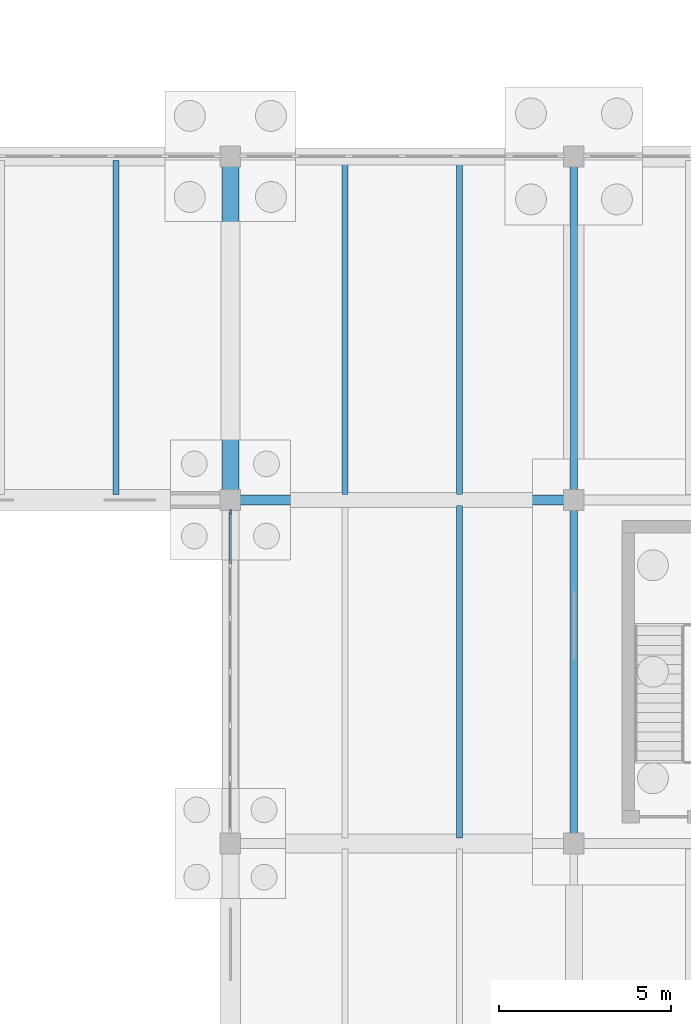
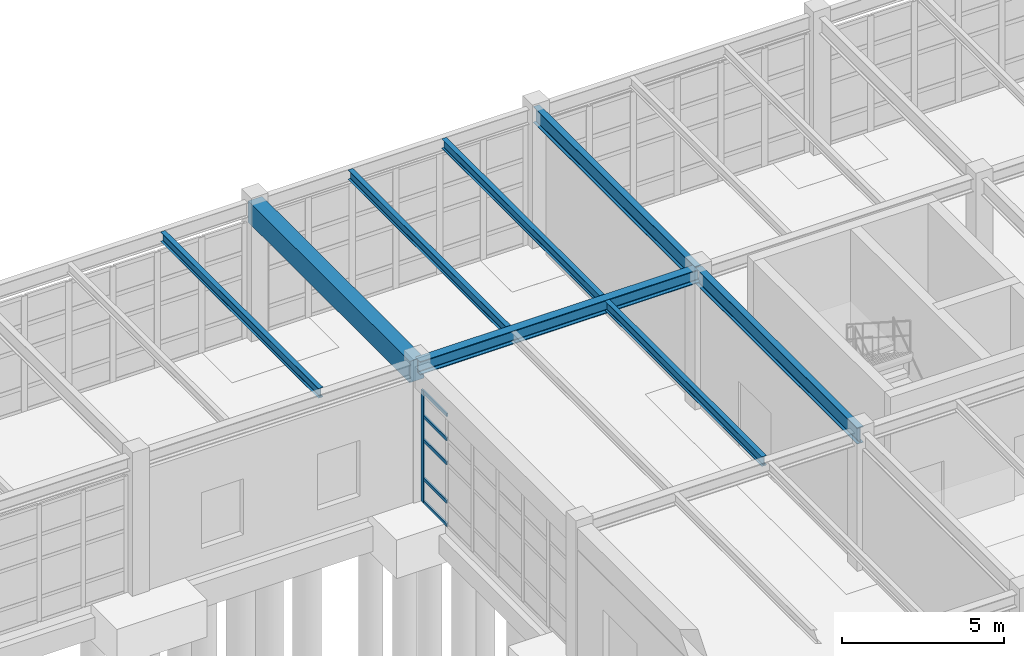
# One storey, part 73 of 145: 8 beams, 6 members, 1 element without a shape of its own.
"""IFC4 building model written with IfcOpenShell, lengths in metres."""

from ifc_helpers import new_model, si_unit, direction, frame, origin, origin_2d, place, context, subcontext, project, spatial, rectangle, i_section, extrude, material, layer, layer_set, material_profile, profile_set, type_object, element, aggregate, save


model = new_model("IFC4")

# Units and contexts
model_context = context("Model", 3, precision=1e-05, world=origin(), true_north=direction((0.0, 1.0)))
body_context = subcontext(model_context, "Body", "Model", "MODEL_VIEW")
ifc_project = project(units=[si_unit("LENGTHUNIT", "METRE"), si_unit("AREAUNIT", "SQUARE_METRE"), si_unit("VOLUMEUNIT", "CUBIC_METRE"), si_unit("PLANEANGLEUNIT", "RADIAN"), si_unit("MASSUNIT", "GRAM", prefix="KILO"), si_unit("THERMODYNAMICTEMPERATUREUNIT", "KELVIN"), si_unit("POWERUNIT", "WATT")], contexts=[model_context])

# Site, building, storey
site_placement = place(None, origin())
site = spatial("IfcSite", under=ifc_project, at=site_placement, CompositionType="ELEMENT")
building_placement = place(site_placement, origin())
building = spatial("IfcBuilding", under=site, at=building_placement, Name="Korenveer Ferry Terminal", CompositionType="ELEMENT")
storey_placement = place(building_placement, origin())
storey = spatial("IfcBuildingStorey", under=building, at=storey_placement, Name="L00", CompositionType="ELEMENT", Elevation=0.0)

# Curtain wall, members
ifc_material_1 = material(Name="Unitised bronze-and-glass curtain wall", Category="glass")
ifc_layer = layer(ifc_material_1, 0.159912109375)
ifc_layer_set = layer_set([ifc_layer], Name="Unitised bronze-and-glass curtain wall")
curtain_wall_type = type_object("IfcCurtainWallType", Name="ENV-CW-32", PredefinedType="USERDEFINED", material=ifc_layer_set)
curtain_wall_placement = place(storey_placement, frame((146.0, 60.330078125, 0.0)))
curtain_wall = element("IfcCurtainWall", 1, at=curtain_wall_placement, inside=storey, type_object=curtain_wall_type, Name="Lancet curtain wall CWX-L00-X146-146-Y60-70", ObjectType="UNITISED CURTAIN WALL", PredefinedType="USERDEFINED")
ifc_material_2 = material(Name="Anodised bronze aluminium", Category="aluminium")
ifc_material_profile_1 = material_profile(ifc_material_2, rectangle(XDim=0.06005859375, YDim=0.159912109375, at=origin_2d()), Name="ALU 60x160")
ifc_profile_set_1 = profile_set([ifc_material_profile_1], Name="Anodised bronze aluminium")
member_type_1 = type_object("IfcMemberType", Name="ENV-CWM-60X160", PredefinedType="MULLION", material=ifc_profile_set_1)
member_1_placement = place(storey_placement, frame((146.0, 69.639892578125, 0.0), z_axis=(0.0, 0.0, 1.0), x_axis=(-1.0, 0.0, 0.0)))
member_1 = element("IfcMember", 2, at=member_1_placement, type_object=member_type_1, Name="CW-32 mullion 7", PredefinedType="MULLION", context=body_context, shape_type="SweptSolid", body=[
    extrude(rectangle(XDim=0.06005859375, YDim=0.159912109375, at=origin_2d()), origin(), (0.0, 0.0, 1.0), 4.18994140625),
])
ifc_material_profile_2 = material_profile(ifc_material_2, rectangle(XDim=0.06005859375, YDim=0.1201171875, at=origin_2d()), Name="ALU 60x120")
ifc_profile_set_2 = profile_set([ifc_material_profile_2], Name="Anodised bronze aluminium")
member_type_2 = type_object("IfcMemberType", Name="ENV-CWT-60X120", PredefinedType="USERDEFINED", material=ifc_profile_set_2)
member_2_placement = place(storey_placement, frame((146.0, 68.143310546875, 0.030029296875), z_axis=(0.0, 1.0, 0.0), x_axis=(-1.0, 0.0, 0.0)))
member_2 = element("IfcMember", 3, at=member_2_placement, type_object=member_type_2, Name="CW-32 transom 6.1", ObjectType="TRANSOM", PredefinedType="USERDEFINED", context=body_context, shape_type="SweptSolid", body=[
    extrude(rectangle(XDim=0.06005859375, YDim=0.1201171875, at=origin_2d()), origin(), (0.0, 0.0, 1.0), 1.466796875),
])
member_3_placement = place(storey_placement, frame((146.0, 68.143310546875, 0.89990234375), z_axis=(0.0, 1.0, 0.0), x_axis=(-1.0, 0.0, 0.0)))
member_3 = element("IfcMember", 4, at=member_3_placement, type_object=member_type_2, Name="CW-32 transom 6.2", ObjectType="TRANSOM", PredefinedType="USERDEFINED", context=body_context, shape_type="SweptSolid", body=[
    extrude(rectangle(XDim=0.06005859375, YDim=0.1201171875, at=origin_2d()), origin(), (0.0, 0.0, 1.0), 1.466796875),
])
member_4_placement = place(storey_placement, frame((146.0, 68.143310546875, 2.35009765625), z_axis=(0.0, 1.0, 0.0), x_axis=(-1.0, 0.0, 0.0)))
member_4 = element("IfcMember", 5, at=member_4_placement, type_object=member_type_2, Name="CW-32 transom 6.3", ObjectType="TRANSOM", PredefinedType="USERDEFINED", context=body_context, shape_type="SweptSolid", body=[
    extrude(rectangle(XDim=0.06005859375, YDim=0.1201171875, at=origin_2d()), origin(), (0.0, 0.0, 1.0), 1.466796875),
])
member_5_placement = place(storey_placement, frame((146.0, 68.143310546875, 3.25), z_axis=(0.0, 1.0, 0.0), x_axis=(-1.0, 0.0, 0.0)))
member_5 = element("IfcMember", 6, at=member_5_placement, type_object=member_type_2, Name="CW-32 transom 6.4", ObjectType="TRANSOM", PredefinedType="USERDEFINED", context=body_context, shape_type="SweptSolid", body=[
    extrude(rectangle(XDim=0.06005859375, YDim=0.1201171875, at=origin_2d()), origin(), (0.0, 0.0, 1.0), 1.466796875),
])
member_6_placement = place(storey_placement, frame((146.0, 68.143310546875, 4.159912109375), z_axis=(0.0, 1.0, 0.0), x_axis=(-1.0, 0.0, 0.0)))
member_6 = element("IfcMember", 7, at=member_6_placement, type_object=member_type_2, Name="CW-32 transom 6.5", ObjectType="TRANSOM", PredefinedType="USERDEFINED", context=body_context, shape_type="SweptSolid", body=[
    extrude(rectangle(XDim=0.06005859375, YDim=0.1201171875, at=origin_2d()), origin(), (0.0, 0.0, 1.0), 1.466796875),
])
aggregate(curtain_wall, [member_1, member_2, member_3, member_4, member_5, member_6])

# Beams
ifc_material_3 = material(Name="Steel S355", Category="steel")
ifc_material_profile_3 = material_profile(ifc_material_3, i_section(OverallWidth=0.300048828125, OverallDepth=0.5, WebThickness=0.014404296875, FlangeThickness=0.028076171875, FilletRadius=0.027099609375, at=origin_2d()), Name="HEB 500")
ifc_profile_set_3 = profile_set([ifc_material_profile_3], Name="Steel S355")
beam_type_1 = type_object("IfcBeamType", Name="STR-BM-HEB500", PredefinedType="BEAM", material=ifc_profile_set_3)
beam_1_placement = place(storey_placement, frame((146.02001953125, 70.0, 4.8701171875), z_axis=(1.0, 0.0, 0.0), x_axis=(0.0, 1.0, 0.0)))
element("IfcBeam", 8, at=beam_1_placement, inside=storey, type_object=beam_type_1, Name="Primary X girder BMX-L01-X146-156-Y70", PredefinedType="BEAM", context=body_context, shape_type="SweptSolid", body=[
    extrude(i_section(OverallWidth=0.300048828125, OverallDepth=0.5, WebThickness=0.014404296875, FlangeThickness=0.028076171875, FilletRadius=0.027099609375, at=origin_2d()), origin(), (0.0, 0.0, 1.0), 9.9599609375),
])
ifc_material_profile_4 = material_profile(ifc_material_3, i_section(OverallWidth=0.219970703125, OverallDepth=0.60009765625, WebThickness=0.011962890625, FlangeThickness=0.01904296875, FilletRadius=0.02392578125, at=origin_2d()), Name="IPE 600")
ifc_profile_set_4 = profile_set([ifc_material_profile_4], Name="Steel S355")
beam_type_2 = type_object("IfcBeamType", Name="STR-BM-IPE600", PredefinedType="BEAM", material=ifc_profile_set_4)
for number, where, z_axis, x_axis, name in (
    (9, (156.0, 60.02001953125, 4.820068359375), (0.0, 1.0, 0.0), (-1.0, 0.0, 0.0), "Primary Y girder BMY-L01-X156-Y60-70"),
    (10, (156.0, 70.02001953125, 4.820068359375), (0.0, 1.0, 0.0), (-1.0, 0.0, 0.0), "Primary Y girder BMY-L01-X156-Y70-80"),
):
    element("IfcBeam", number, at=place(storey_placement, frame(where, z_axis=z_axis, x_axis=x_axis)), inside=storey, type_object=beam_type_2, Name=name, PredefinedType="BEAM", context=body_context, shape_type="SweptSolid", body=[
        extrude(i_section(OverallWidth=0.219970703125, OverallDepth=0.60009765625, WebThickness=0.011962890625, FlangeThickness=0.01904296875, FilletRadius=0.02392578125, at=origin_2d()), origin(), (0.0, 0.0, 1.0), 9.9599609375),
    ])
ifc_material_4 = material(Name="Concrete C40/50", Category="concrete")
ifc_material_profile_5 = material_profile(ifc_material_4, rectangle(XDim=0.5, YDim=0.800048828125, at=origin_2d()), Name="RC 500x800")
ifc_profile_set_5 = profile_set([ifc_material_profile_5], Name="Concrete C40/50")
beam_type_3 = type_object("IfcBeamType", Name="STR-BM-RC500X800", PredefinedType="BEAM", material=ifc_profile_set_5)
beam_2_placement = place(storey_placement, frame((146.0, 70.02001953125, 4.719970703125), z_axis=(0.0, 1.0, 0.0), x_axis=(-1.0, 0.0, 0.0)))
element("IfcBeam", 11, at=beam_2_placement, inside=storey, type_object=beam_type_3, Name="Primary Y girder BMY-L01-X146-Y70-80", PredefinedType="BEAM", context=body_context, shape_type="SweptSolid", body=[
    extrude(rectangle(XDim=0.5, YDim=0.800048828125, at=origin_2d()), origin(), (0.0, 0.0, 1.0), 9.9599609375),
])
ifc_material_profile_6 = material_profile(ifc_material_3, i_section(OverallWidth=0.169921875, OverallDepth=0.360107421875, WebThickness=0.008056640625, FlangeThickness=0.0126953125, FilletRadius=0.01806640625, at=origin_2d()), Name="IPE 360")
ifc_profile_set_6 = profile_set([ifc_material_profile_6], Name="Steel S355")
beam_type_4 = type_object("IfcBeamType", Name="STR-JST-IPE360", PredefinedType="JOIST", material=ifc_profile_set_6)
beam_3_placement = place(storey_placement, frame((142.666748046875, 70.159912109375, 4.93994140625), z_axis=(0.0, 1.0, 0.0), x_axis=(-1.0, 0.0, 0.0)))
element("IfcBeam", 12, at=beam_3_placement, inside=storey, type_object=beam_type_4, Name="Secondary composite joist JST-L01-X1427-Y70-80", PredefinedType="JOIST", context=body_context, shape_type="SweptSolid", body=[
    extrude(i_section(OverallWidth=0.169921875, OverallDepth=0.360107421875, WebThickness=0.008056640625, FlangeThickness=0.0126953125, FilletRadius=0.01806640625, at=origin_2d()), origin(), (0.0, 0.0, 1.0), 9.72509765625),
])
beam_4_placement = place(storey_placement, frame((152.666748046875, 60.159912109375, 4.93994140625), z_axis=(0.0, 1.0, 0.0), x_axis=(-1.0, 0.0, 0.0)))
element("IfcBeam", 13, at=beam_4_placement, inside=storey, type_object=beam_type_4, Name="Secondary composite joist JST-L01-X1527-Y60-70", PredefinedType="JOIST", context=body_context, shape_type="SweptSolid", body=[
    extrude(i_section(OverallWidth=0.169921875, OverallDepth=0.360107421875, WebThickness=0.008056640625, FlangeThickness=0.0126953125, FilletRadius=0.01806640625, at=origin_2d()), origin(), (0.0, 0.0, 1.0), 9.68017578125),
])
for number, where, z_axis, x_axis, name in (
    (14, (149.333251953125, 70.159912109375, 4.93994140625), (0.0, 1.0, 0.0), (-1.0, 0.0, 0.0), "Secondary composite joist JST-L01-X1493-Y70-80"),
    (15, (152.666748046875, 70.159912109375, 4.93994140625), (0.0, 1.0, 0.0), (-1.0, 0.0, 0.0), "Secondary composite joist JST-L01-X1527-Y70-80"),
):
    element("IfcBeam", number, at=place(storey_placement, frame(where, z_axis=z_axis, x_axis=x_axis)), inside=storey, type_object=beam_type_4, Name=name, PredefinedType="JOIST", context=body_context, shape_type="SweptSolid", body=[
        extrude(i_section(OverallWidth=0.169921875, OverallDepth=0.360107421875, WebThickness=0.008056640625, FlangeThickness=0.0126953125, FilletRadius=0.01806640625, at=origin_2d()), origin(), (0.0, 0.0, 1.0), 9.72509765625),
    ])

save(model, "model.ifc")
